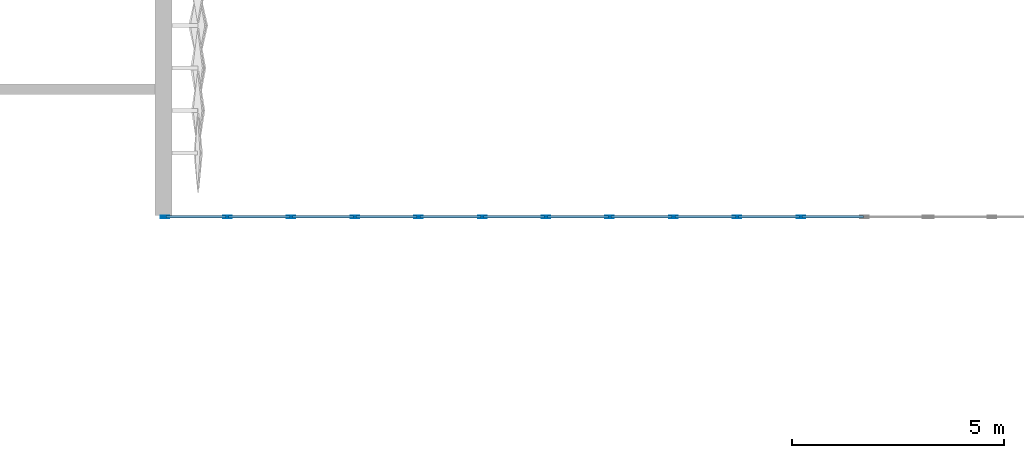
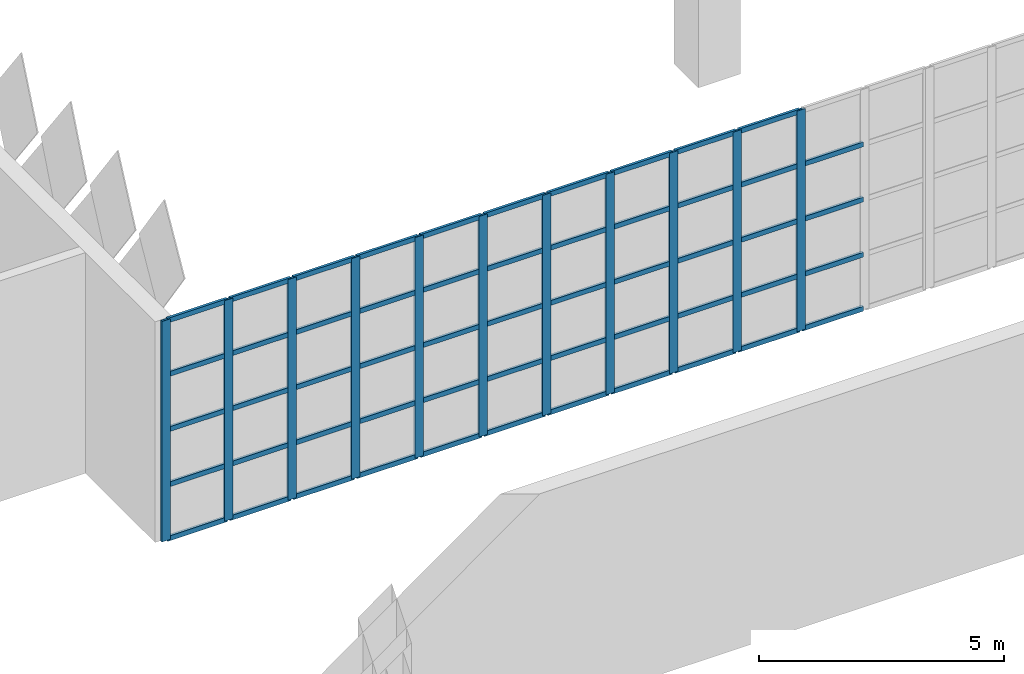
# One storey, part 42 of 185: 65 members, 1 element without a shape of its own.
"""IFC4 building model written with IfcOpenShell, lengths in metres."""

import ifcopenshell
import ifcopenshell.guid

model = None  # the IFC model being written
_history = None  # IfcOwnerHistory: only IFC2X3 demands one
_inside = {}  # id of a spatial element -> (the spatial element, [elements in it])
_under = {}  # id of a project, library or spatial element -> (it, [spatial elements below it])
_declared = {}  # id of a project -> (the project, [libraries it declares])
_typed = {}  # id of a type object -> (the type object, [elements of that type])
_made_of = {}  # id of a material, layer set ... -> (it, [elements and type objects made of it])


def new_model(schema):
    """Start an empty IFC model of exactly this schema.

    Asked for "IFC4X3", IfcOpenShell would pick the latest addendum, in which some entities
    have other attributes; the version numbers below select the first issue.
    IFC2X3 requires an IfcOwnerHistory on every rooted entity: one is made here for all.
    """
    global model, _history
    if schema == "IFC4X3":
        model = ifcopenshell.file(schema_version=(4, 3, 0, 0))
    else:
        model = ifcopenshell.file(schema=schema)
    _inside.clear()
    _under.clear()
    _declared.clear()
    _typed.clear()
    _made_of.clear()
    _history = None
    if model.schema == "IFC2X3":
        org = make("IfcOrganization", Name="unknown")
        user = make(
            "IfcPersonAndOrganization",
            ThePerson=make("IfcPerson", FamilyName="unknown"),
            TheOrganization=org,
        )
        app = make(
            "IfcApplication",
            ApplicationDeveloper=org,
            Version="unknown",
            ApplicationFullName="unknown",
            ApplicationIdentifier="unknown",
        )
        _history = make(
            "IfcOwnerHistory",
            OwningUser=user,
            OwningApplication=app,
            ChangeAction="ADDED",
            CreationDate=0,
        )
    return model


def make(cls, **values):
    """One entity of the class cls with the attributes given. An attribute that is None is left unset."""
    return model.create_entity(
        cls, **{name: value for name, value in values.items() if value is not None}
    )


def rooted(cls, **values):
    """An entity with a GlobalId (a new one), such as an element, a storey or a relation."""
    return make(cls, GlobalId=ifcopenshell.guid.new(), OwnerHistory=_history, **values)


def si_unit(unit_type, name, prefix=None):
    """IfcSIUnit, for example si_unit("LENGTHUNIT", "METRE", prefix="MILLI")."""
    return make("IfcSIUnit", UnitType=unit_type, Prefix=prefix, Name=name)


def assignment(units):
    """IfcUnitAssignment: the units of a project."""
    return None if units is None else make("IfcUnitAssignment", Units=units)


def point(xyz):
    """IfcCartesianPoint."""
    return None if xyz is None else make("IfcCartesianPoint", Coordinates=xyz)


def direction(xyz):
    """IfcDirection."""
    return None if xyz is None else make("IfcDirection", DirectionRatios=xyz)


def frame(location, z_axis=None, x_axis=None):
    """IfcAxis2Placement3D, a coordinate frame: its origin and axes. An axis left out is left unset."""
    return make(
        "IfcAxis2Placement3D",
        Location=point(location),
        Axis=direction(z_axis),
        RefDirection=direction(x_axis),
    )


def frame_2d(location, x_axis=None):
    """IfcAxis2Placement2D, a coordinate frame in the plane: its origin and x axis."""
    return make(
        "IfcAxis2Placement2D", Location=point(location), RefDirection=direction(x_axis)
    )


def origin():
    """The frame at (0, 0, 0) with its axes left unset."""
    return frame((0.0, 0.0, 0.0))


def origin_2d():
    """The frame at (0, 0) in the plane with its x axis left unset."""
    return frame_2d((0.0, 0.0))


def place(relative_to, where):
    """IfcLocalPlacement: puts the frame where relative to a parent placement (None: the world)."""
    return make(
        "IfcLocalPlacement", PlacementRelTo=relative_to, RelativePlacement=where
    )


def context(
    kind, dimensions, precision=None, world=None, true_north=None, identifier=None
):
    """IfcGeometricRepresentationContext, for example the 3D "Model" context."""
    return make(
        "IfcGeometricRepresentationContext",
        ContextIdentifier=identifier,
        ContextType=kind,
        CoordinateSpaceDimension=dimensions,
        Precision=precision,
        WorldCoordinateSystem=world,
        TrueNorth=true_north,
    )


def subcontext(parent, identifier, kind, view, scale=None):
    """IfcGeometricRepresentationSubContext, for example "Body" below "Model"."""
    return make(
        "IfcGeometricRepresentationSubContext",
        ContextIdentifier=identifier,
        ContextType=kind,
        ParentContext=parent,
        TargetScale=scale,
        TargetView=view,
    )


def project(units=None, contexts=None):
    """IfcProject with its units and contexts."""
    return rooted(
        "IfcProject",
        Name="project",
        RepresentationContexts=contexts,
        UnitsInContext=assignment(units),
    )


def spatial(cls, under=None, at=None, **own):
    """A site, building, storey or space (cls), placed at a placement, below another one or the project."""
    s = rooted(cls, ObjectPlacement=at, **own)
    if under is not None:
        _under.setdefault(under.id(), (under, []))[1].append(s)
    return s


def profile(cls, at=None, kind="AREA", **sizes):
    """A parametric profile (cls). Its sizes go by their IFC names, for example OverallWidth=200.0."""
    return make(cls, ProfileType=kind, Position=at, **sizes)


def hollow_rectangle(**sizes):
    """IfcRectangleHollowProfileDef."""
    return profile("IfcRectangleHollowProfileDef", **sizes)


def extrude(swept, where, along, depth):
    """IfcExtrudedAreaSolid: the profile swept, set in the frame where, extruded along a direction by depth."""
    return make(
        "IfcExtrudedAreaSolid",
        SweptArea=swept,
        Position=where,
        ExtrudedDirection=direction(along),
        Depth=depth,
    )


def shape(context_of_items, identifier, shape_type, items):
    """IfcShapeRepresentation: the items that make up one representation, for example the "Body"."""
    return make(
        "IfcShapeRepresentation",
        ContextOfItems=context_of_items,
        RepresentationIdentifier=identifier,
        RepresentationType=shape_type,
        Items=items,
    )


def material(Name=None, Category=None):
    """IfcMaterial."""
    return make("IfcMaterial", Name=Name, Category=Category)


def layer(
    of_material, thickness, ventilated=None, Name=None, Category=None, Priority=None
):
    """IfcMaterialLayer: one layer of a wall or slab, of a material (None: an air gap)."""
    return make(
        "IfcMaterialLayer",
        Material=of_material,
        LayerThickness=thickness,
        IsVentilated=ventilated,
        Name=Name,
        Category=Category,
        Priority=Priority,
    )


def layer_set(layers, Name=None):
    """IfcMaterialLayerSet."""
    return make("IfcMaterialLayerSet", MaterialLayers=layers, LayerSetName=Name)


def material_profile(
    of_material, cross_section, Name=None, Category=None, Priority=None
):
    """IfcMaterialProfile: a cross section and its material."""
    return make(
        "IfcMaterialProfile",
        Name=Name,
        Material=of_material,
        Profile=cross_section,
        Priority=Priority,
        Category=Category,
    )


def profile_set(profiles, Name=None, composite=None):
    """IfcMaterialProfileSet."""
    return make(
        "IfcMaterialProfileSet",
        Name=Name,
        MaterialProfiles=profiles,
        CompositeProfile=composite,
    )


def made_of(thing, what):
    """Note that an element or type object is made of a material, layer set ...; save() writes the relation."""
    if what is not None:
        _made_of.setdefault(what.id(), (what, []))[1].append(thing)
    return thing


def type_object(cls, material=None, **own):
    """A type object (cls), such as IfcWallType, which elements share."""
    return made_of(rooted(cls, **own), material)


def element(
    cls,
    number,
    at=None,
    inside=None,
    cuts=None,
    type_object=None,
    material=None,
    context=None,
    identifier="Body",
    shape_type=None,
    held_by="IfcProductDefinitionShape",
    body=None,
    shapes=None,
    **own,
):
    """One element of the class cls, such as IfcWall. Its Tag is "e" and its number.

    at: its placement. inside: the storey or other place that contains it. cuts: it is an
    opening in that element (IfcRelVoidsElement). A single representation is given by context,
    identifier, shape_type and body (its items); several are given by shapes. held_by: the class
    of the entity that holds the representations. save() writes the other relations.
    """
    e = rooted(cls, Tag="e%d" % number, ObjectPlacement=at, **own)
    if body is not None:
        shapes = [shape(context, identifier, shape_type, body)]
    if shapes is not None:
        e.Representation = make(held_by, Representations=shapes)
    if inside is not None:
        _inside.setdefault(inside.id(), (inside, []))[1].append(e)
    if cuts is not None:
        rooted(
            "IfcRelVoidsElement", RelatingBuildingElement=cuts, RelatedOpeningElement=e
        )
    if type_object is not None:
        _typed.setdefault(type_object.id(), (type_object, []))[1].append(e)
    return made_of(e, material)


def aggregate(whole, parts):
    """IfcRelAggregates: a whole, such as a stair, and the parts it consists of."""
    return rooted("IfcRelAggregates", RelatingObject=whole, RelatedObjects=parts)


def save(model, path):
    """Write the relations noted so far, then the file.

    IfcRelAggregates (storeys below a building ...), IfcRelContainedInSpatialStructure (elements
    in a storey), IfcRelDefinesByType, IfcRelAssociatesMaterial and IfcRelDeclares: one each for
    every whole, place, type object, material and project.
    """
    for whole, parts in _under.values():
        aggregate(whole, parts)
    for where, things in _inside.values():
        rooted(
            "IfcRelContainedInSpatialStructure",
            RelatedElements=things,
            RelatingStructure=where,
        )
    for kind, things in _typed.values():
        rooted("IfcRelDefinesByType", RelatedObjects=things, RelatingType=kind)
    for what, things in _made_of.values():
        rooted("IfcRelAssociatesMaterial", RelatedObjects=things, RelatingMaterial=what)
    for by, libraries in _declared.values():
        rooted("IfcRelDeclares", RelatingContext=by, RelatedDefinitions=libraries)
    model.write(path)


model = new_model("IFC4")

# Units and contexts
model_context = context("Model", 3, precision=1e-05, world=origin(), true_north=direction((0.0, 1.0)))
body_context = subcontext(model_context, "Body", "Model", "MODEL_VIEW")
ifc_project = project(units=[si_unit("LENGTHUNIT", "METRE"), si_unit("AREAUNIT", "SQUARE_METRE"), si_unit("VOLUMEUNIT", "CUBIC_METRE"), si_unit("PLANEANGLEUNIT", "RADIAN"), si_unit("MASSUNIT", "GRAM", prefix="KILO")], contexts=[model_context])

# Site, building, storey
site_placement = place(None, origin())
site = spatial("IfcSite", under=ifc_project, at=site_placement, CompositionType="ELEMENT")
building_placement = place(site_placement, origin())
building = spatial("IfcBuilding", under=site, at=building_placement, Name="Opaline Strait Convention Centre", CompositionType="ELEMENT")
storey_placement = place(building_placement, frame((0.0, 0.0, 6.0)))
storey = spatial("IfcBuildingStorey", under=building, at=storey_placement, Name="L01", CompositionType="ELEMENT", Elevation=6.0)

# Curtain wall, members
ifc_material_1 = material(Name="Aluminium framed glazing", Category="aluminium")
ifc_layer = layer(ifc_material_1, 0.199951171875)
ifc_layer_set = layer_set([ifc_layer], Name="Aluminium framed glazing")
curtain_wall_type = type_object("IfcCurtainWallType", Name="Entrance curtain wall 1500", PredefinedType="NOTDEFINED", material=ifc_layer_set)
curtain_wall_placement = place(storey_placement, origin())
curtain_wall = element("IfcCurtainWall", 1, at=curtain_wall_placement, inside=storey, type_object=curtain_wall_type, Name="Entrance curtain wall L01-R1", PredefinedType="NOTDEFINED")
ifc_material_2 = material(Name="Aluminium alloy 6063", Category="aluminium")
ifc_material_profile_1 = material_profile(ifc_material_2, hollow_rectangle(XDim=0.06005859375, YDim=0.199951171875, WallThickness=0.00390625, at=origin_2d()), Name="MULLION 60x200x4")
ifc_profile_set_1 = profile_set([ifc_material_profile_1], Name="Aluminium alloy 6063")
member_type_1 = type_object("IfcMemberType", Name="Curtain wall mullion 60 x 200", PredefinedType="MULLION", material=ifc_profile_set_1)
member_1_placement = place(storey_placement, frame((153.030029296875, 144.0, 0.0), z_axis=(0.0, 0.0, 1.0), x_axis=(0.0, 1.0, 0.0)))
member_1 = element("IfcMember", 2, at=member_1_placement, type_object=member_type_1, Name="XCW mullion 1", PredefinedType="MULLION", context=body_context, shape_type="SweptSolid", body=[
    extrude(hollow_rectangle(XDim=0.06005859375, YDim=0.199951171875, WallThickness=0.00390625, at=origin_2d()), origin(), (0.0, 0.0, 1.0), 5.5),
])
member_2_placement = place(storey_placement, frame((154.5, 144.0, 0.0), z_axis=(0.0, 0.0, 1.0), x_axis=(0.0, 1.0, 0.0)))
member_2 = element("IfcMember", 3, at=member_2_placement, type_object=member_type_1, Name="XCW mullion 2", PredefinedType="MULLION", context=body_context, shape_type="SweptSolid", body=[
    extrude(hollow_rectangle(XDim=0.06005859375, YDim=0.199951171875, WallThickness=0.00390625, at=origin_2d()), origin(), (0.0, 0.0, 1.0), 5.5),
])
member_3_placement = place(storey_placement, frame((156.0, 144.0, 0.0), z_axis=(0.0, 0.0, 1.0), x_axis=(0.0, 1.0, 0.0)))
member_3 = element("IfcMember", 4, at=member_3_placement, type_object=member_type_1, Name="XCW mullion 3", PredefinedType="MULLION", context=body_context, shape_type="SweptSolid", body=[
    extrude(hollow_rectangle(XDim=0.06005859375, YDim=0.199951171875, WallThickness=0.00390625, at=origin_2d()), origin(), (0.0, 0.0, 1.0), 5.5),
])
member_4_placement = place(storey_placement, frame((157.5, 144.0, 0.0), z_axis=(0.0, 0.0, 1.0), x_axis=(0.0, 1.0, 0.0)))
member_4 = element("IfcMember", 5, at=member_4_placement, type_object=member_type_1, Name="XCW mullion 4", PredefinedType="MULLION", context=body_context, shape_type="SweptSolid", body=[
    extrude(hollow_rectangle(XDim=0.06005859375, YDim=0.199951171875, WallThickness=0.00390625, at=origin_2d()), origin(), (0.0, 0.0, 1.0), 5.5),
])
member_5_placement = place(storey_placement, frame((159.0, 144.0, 0.0), z_axis=(0.0, 0.0, 1.0), x_axis=(0.0, 1.0, 0.0)))
member_5 = element("IfcMember", 6, at=member_5_placement, type_object=member_type_1, Name="XCW mullion 5", PredefinedType="MULLION", context=body_context, shape_type="SweptSolid", body=[
    extrude(hollow_rectangle(XDim=0.06005859375, YDim=0.199951171875, WallThickness=0.00390625, at=origin_2d()), origin(), (0.0, 0.0, 1.0), 5.5),
])
member_6_placement = place(storey_placement, frame((160.5, 144.0, 0.0), z_axis=(0.0, 0.0, 1.0), x_axis=(0.0, 1.0, 0.0)))
member_6 = element("IfcMember", 7, at=member_6_placement, type_object=member_type_1, Name="XCW mullion 6", PredefinedType="MULLION", context=body_context, shape_type="SweptSolid", body=[
    extrude(hollow_rectangle(XDim=0.06005859375, YDim=0.199951171875, WallThickness=0.00390625, at=origin_2d()), origin(), (0.0, 0.0, 1.0), 5.5),
])
member_7_placement = place(storey_placement, frame((162.0, 144.0, 0.0), z_axis=(0.0, 0.0, 1.0), x_axis=(0.0, 1.0, 0.0)))
member_7 = element("IfcMember", 8, at=member_7_placement, type_object=member_type_1, Name="XCW mullion 7", PredefinedType="MULLION", context=body_context, shape_type="SweptSolid", body=[
    extrude(hollow_rectangle(XDim=0.06005859375, YDim=0.199951171875, WallThickness=0.00390625, at=origin_2d()), origin(), (0.0, 0.0, 1.0), 5.5),
])
member_8_placement = place(storey_placement, frame((163.5, 144.0, 0.0), z_axis=(0.0, 0.0, 1.0), x_axis=(0.0, 1.0, 0.0)))
member_8 = element("IfcMember", 9, at=member_8_placement, type_object=member_type_1, Name="XCW mullion 8", PredefinedType="MULLION", context=body_context, shape_type="SweptSolid", body=[
    extrude(hollow_rectangle(XDim=0.06005859375, YDim=0.199951171875, WallThickness=0.00390625, at=origin_2d()), origin(), (0.0, 0.0, 1.0), 5.5),
])
member_9_placement = place(storey_placement, frame((165.0, 144.0, 0.0), z_axis=(0.0, 0.0, 1.0), x_axis=(0.0, 1.0, 0.0)))
member_9 = element("IfcMember", 10, at=member_9_placement, type_object=member_type_1, Name="XCW mullion 9", PredefinedType="MULLION", context=body_context, shape_type="SweptSolid", body=[
    extrude(hollow_rectangle(XDim=0.06005859375, YDim=0.199951171875, WallThickness=0.00390625, at=origin_2d()), origin(), (0.0, 0.0, 1.0), 5.5),
])
member_10_placement = place(storey_placement, frame((166.5, 144.0, 0.0), z_axis=(0.0, 0.0, 1.0), x_axis=(0.0, 1.0, 0.0)))
member_10 = element("IfcMember", 11, at=member_10_placement, type_object=member_type_1, Name="XCW mullion 10", PredefinedType="MULLION", context=body_context, shape_type="SweptSolid", body=[
    extrude(hollow_rectangle(XDim=0.06005859375, YDim=0.199951171875, WallThickness=0.00390625, at=origin_2d()), origin(), (0.0, 0.0, 1.0), 5.5),
])
member_11_placement = place(storey_placement, frame((168.0, 144.0, 0.0), z_axis=(0.0, 0.0, 1.0), x_axis=(0.0, 1.0, 0.0)))
member_11 = element("IfcMember", 12, at=member_11_placement, type_object=member_type_1, Name="XCW mullion 11", PredefinedType="MULLION", context=body_context, shape_type="SweptSolid", body=[
    extrude(hollow_rectangle(XDim=0.06005859375, YDim=0.199951171875, WallThickness=0.00390625, at=origin_2d()), origin(), (0.0, 0.0, 1.0), 5.5),
])
ifc_material_profile_2 = material_profile(ifc_material_2, hollow_rectangle(XDim=0.06005859375, YDim=0.1201171875, WallThickness=0.0029296875, at=origin_2d()), Name="TRANSOM 60x120x3")
ifc_profile_set_2 = profile_set([ifc_material_profile_2], Name="Aluminium alloy 6063")
member_type_2 = type_object("IfcMemberType", Name="Curtain wall transom 60 x 120", PredefinedType="USERDEFINED", material=ifc_profile_set_2)
member_12_placement = place(storey_placement, frame((153.06005859375, 144.0, 0.030029296875), z_axis=(1.0, 0.0, 0.0), x_axis=(0.0, 1.0, 0.0)))
member_12 = element("IfcMember", 13, at=member_12_placement, type_object=member_type_2, Name="XCW transom 1.1", ObjectType="TRANSOM", PredefinedType="USERDEFINED", context=body_context, shape_type="SweptSolid", body=[
    extrude(hollow_rectangle(XDim=0.06005859375, YDim=0.1201171875, WallThickness=0.0029296875, at=origin_2d()), origin(), (0.0, 0.0, 1.0), 1.409912109375),
])
member_13_placement = place(storey_placement, frame((153.06005859375, 144.0, 1.375), z_axis=(1.0, 0.0, 0.0), x_axis=(0.0, 1.0, 0.0)))
member_13 = element("IfcMember", 14, at=member_13_placement, type_object=member_type_2, Name="XCW transom 1.2", ObjectType="TRANSOM", PredefinedType="USERDEFINED", context=body_context, shape_type="SweptSolid", body=[
    extrude(hollow_rectangle(XDim=0.06005859375, YDim=0.1201171875, WallThickness=0.0029296875, at=origin_2d()), origin(), (0.0, 0.0, 1.0), 1.409912109375),
])
member_14_placement = place(storey_placement, frame((153.06005859375, 144.0, 2.75), z_axis=(1.0, 0.0, 0.0), x_axis=(0.0, 1.0, 0.0)))
member_14 = element("IfcMember", 15, at=member_14_placement, type_object=member_type_2, Name="XCW transom 1.3", ObjectType="TRANSOM", PredefinedType="USERDEFINED", context=body_context, shape_type="SweptSolid", body=[
    extrude(hollow_rectangle(XDim=0.06005859375, YDim=0.1201171875, WallThickness=0.0029296875, at=origin_2d()), origin(), (0.0, 0.0, 1.0), 1.409912109375),
])
member_15_placement = place(storey_placement, frame((153.06005859375, 144.0, 4.125), z_axis=(1.0, 0.0, 0.0), x_axis=(0.0, 1.0, 0.0)))
member_15 = element("IfcMember", 16, at=member_15_placement, type_object=member_type_2, Name="XCW transom 1.4", ObjectType="TRANSOM", PredefinedType="USERDEFINED", context=body_context, shape_type="SweptSolid", body=[
    extrude(hollow_rectangle(XDim=0.06005859375, YDim=0.1201171875, WallThickness=0.0029296875, at=origin_2d()), origin(), (0.0, 0.0, 1.0), 1.409912109375),
])
member_16_placement = place(storey_placement, frame((153.06005859375, 144.0, 5.469970703125), z_axis=(1.0, 0.0, 0.0), x_axis=(0.0, 1.0, 0.0)))
member_16 = element("IfcMember", 17, at=member_16_placement, type_object=member_type_2, Name="XCW transom 1.5", ObjectType="TRANSOM", PredefinedType="USERDEFINED", context=body_context, shape_type="SweptSolid", body=[
    extrude(hollow_rectangle(XDim=0.06005859375, YDim=0.1201171875, WallThickness=0.0029296875, at=origin_2d()), origin(), (0.0, 0.0, 1.0), 1.409912109375),
])
member_17_placement = place(storey_placement, frame((154.530029296875, 144.0, 0.030029296875), z_axis=(1.0, 0.0, 0.0), x_axis=(0.0, 1.0, 0.0)))
member_17 = element("IfcMember", 18, at=member_17_placement, type_object=member_type_2, Name="XCW transom 2.1", ObjectType="TRANSOM", PredefinedType="USERDEFINED", context=body_context, shape_type="SweptSolid", body=[
    extrude(hollow_rectangle(XDim=0.06005859375, YDim=0.1201171875, WallThickness=0.0029296875, at=origin_2d()), origin(), (0.0, 0.0, 1.0), 1.43994140625),
])
member_18_placement = place(storey_placement, frame((154.530029296875, 144.0, 1.375), z_axis=(1.0, 0.0, 0.0), x_axis=(0.0, 1.0, 0.0)))
member_18 = element("IfcMember", 19, at=member_18_placement, type_object=member_type_2, Name="XCW transom 2.2", ObjectType="TRANSOM", PredefinedType="USERDEFINED", context=body_context, shape_type="SweptSolid", body=[
    extrude(hollow_rectangle(XDim=0.06005859375, YDim=0.1201171875, WallThickness=0.0029296875, at=origin_2d()), origin(), (0.0, 0.0, 1.0), 1.43994140625),
])
member_19_placement = place(storey_placement, frame((154.530029296875, 144.0, 2.75), z_axis=(1.0, 0.0, 0.0), x_axis=(0.0, 1.0, 0.0)))
member_19 = element("IfcMember", 20, at=member_19_placement, type_object=member_type_2, Name="XCW transom 2.3", ObjectType="TRANSOM", PredefinedType="USERDEFINED", context=body_context, shape_type="SweptSolid", body=[
    extrude(hollow_rectangle(XDim=0.06005859375, YDim=0.1201171875, WallThickness=0.0029296875, at=origin_2d()), origin(), (0.0, 0.0, 1.0), 1.43994140625),
])
member_20_placement = place(storey_placement, frame((154.530029296875, 144.0, 4.125), z_axis=(1.0, 0.0, 0.0), x_axis=(0.0, 1.0, 0.0)))
member_20 = element("IfcMember", 21, at=member_20_placement, type_object=member_type_2, Name="XCW transom 2.4", ObjectType="TRANSOM", PredefinedType="USERDEFINED", context=body_context, shape_type="SweptSolid", body=[
    extrude(hollow_rectangle(XDim=0.06005859375, YDim=0.1201171875, WallThickness=0.0029296875, at=origin_2d()), origin(), (0.0, 0.0, 1.0), 1.43994140625),
])
member_21_placement = place(storey_placement, frame((154.530029296875, 144.0, 5.469970703125), z_axis=(1.0, 0.0, 0.0), x_axis=(0.0, 1.0, 0.0)))
member_21 = element("IfcMember", 22, at=member_21_placement, type_object=member_type_2, Name="XCW transom 2.5", ObjectType="TRANSOM", PredefinedType="USERDEFINED", context=body_context, shape_type="SweptSolid", body=[
    extrude(hollow_rectangle(XDim=0.06005859375, YDim=0.1201171875, WallThickness=0.0029296875, at=origin_2d()), origin(), (0.0, 0.0, 1.0), 1.43994140625),
])
member_22_placement = place(storey_placement, frame((156.030029296875, 144.0, 0.030029296875), z_axis=(1.0, 0.0, 0.0), x_axis=(0.0, 1.0, 0.0)))
member_22 = element("IfcMember", 23, at=member_22_placement, type_object=member_type_2, Name="XCW transom 3.1", ObjectType="TRANSOM", PredefinedType="USERDEFINED", context=body_context, shape_type="SweptSolid", body=[
    extrude(hollow_rectangle(XDim=0.06005859375, YDim=0.1201171875, WallThickness=0.0029296875, at=origin_2d()), origin(), (0.0, 0.0, 1.0), 1.43994140625),
])
member_23_placement = place(storey_placement, frame((156.030029296875, 144.0, 1.375), z_axis=(1.0, 0.0, 0.0), x_axis=(0.0, 1.0, 0.0)))
member_23 = element("IfcMember", 24, at=member_23_placement, type_object=member_type_2, Name="XCW transom 3.2", ObjectType="TRANSOM", PredefinedType="USERDEFINED", context=body_context, shape_type="SweptSolid", body=[
    extrude(hollow_rectangle(XDim=0.06005859375, YDim=0.1201171875, WallThickness=0.0029296875, at=origin_2d()), origin(), (0.0, 0.0, 1.0), 1.43994140625),
])
member_24_placement = place(storey_placement, frame((156.030029296875, 144.0, 2.75), z_axis=(1.0, 0.0, 0.0), x_axis=(0.0, 1.0, 0.0)))
member_24 = element("IfcMember", 25, at=member_24_placement, type_object=member_type_2, Name="XCW transom 3.3", ObjectType="TRANSOM", PredefinedType="USERDEFINED", context=body_context, shape_type="SweptSolid", body=[
    extrude(hollow_rectangle(XDim=0.06005859375, YDim=0.1201171875, WallThickness=0.0029296875, at=origin_2d()), origin(), (0.0, 0.0, 1.0), 1.43994140625),
])
member_25_placement = place(storey_placement, frame((156.030029296875, 144.0, 4.125), z_axis=(1.0, 0.0, 0.0), x_axis=(0.0, 1.0, 0.0)))
member_25 = element("IfcMember", 26, at=member_25_placement, type_object=member_type_2, Name="XCW transom 3.4", ObjectType="TRANSOM", PredefinedType="USERDEFINED", context=body_context, shape_type="SweptSolid", body=[
    extrude(hollow_rectangle(XDim=0.06005859375, YDim=0.1201171875, WallThickness=0.0029296875, at=origin_2d()), origin(), (0.0, 0.0, 1.0), 1.43994140625),
])
member_26_placement = place(storey_placement, frame((156.030029296875, 144.0, 5.469970703125), z_axis=(1.0, 0.0, 0.0), x_axis=(0.0, 1.0, 0.0)))
member_26 = element("IfcMember", 27, at=member_26_placement, type_object=member_type_2, Name="XCW transom 3.5", ObjectType="TRANSOM", PredefinedType="USERDEFINED", context=body_context, shape_type="SweptSolid", body=[
    extrude(hollow_rectangle(XDim=0.06005859375, YDim=0.1201171875, WallThickness=0.0029296875, at=origin_2d()), origin(), (0.0, 0.0, 1.0), 1.43994140625),
])
member_27_placement = place(storey_placement, frame((157.530029296875, 144.0, 0.030029296875), z_axis=(1.0, 0.0, 0.0), x_axis=(0.0, 1.0, 0.0)))
member_27 = element("IfcMember", 28, at=member_27_placement, type_object=member_type_2, Name="XCW transom 4.1", ObjectType="TRANSOM", PredefinedType="USERDEFINED", context=body_context, shape_type="SweptSolid", body=[
    extrude(hollow_rectangle(XDim=0.06005859375, YDim=0.1201171875, WallThickness=0.0029296875, at=origin_2d()), origin(), (0.0, 0.0, 1.0), 1.43994140625),
])
member_28_placement = place(storey_placement, frame((157.530029296875, 144.0, 1.375), z_axis=(1.0, 0.0, 0.0), x_axis=(0.0, 1.0, 0.0)))
member_28 = element("IfcMember", 29, at=member_28_placement, type_object=member_type_2, Name="XCW transom 4.2", ObjectType="TRANSOM", PredefinedType="USERDEFINED", context=body_context, shape_type="SweptSolid", body=[
    extrude(hollow_rectangle(XDim=0.06005859375, YDim=0.1201171875, WallThickness=0.0029296875, at=origin_2d()), origin(), (0.0, 0.0, 1.0), 1.43994140625),
])
member_29_placement = place(storey_placement, frame((157.530029296875, 144.0, 2.75), z_axis=(1.0, 0.0, 0.0), x_axis=(0.0, 1.0, 0.0)))
member_29 = element("IfcMember", 30, at=member_29_placement, type_object=member_type_2, Name="XCW transom 4.3", ObjectType="TRANSOM", PredefinedType="USERDEFINED", context=body_context, shape_type="SweptSolid", body=[
    extrude(hollow_rectangle(XDim=0.06005859375, YDim=0.1201171875, WallThickness=0.0029296875, at=origin_2d()), origin(), (0.0, 0.0, 1.0), 1.43994140625),
])
member_30_placement = place(storey_placement, frame((157.530029296875, 144.0, 4.125), z_axis=(1.0, 0.0, 0.0), x_axis=(0.0, 1.0, 0.0)))
member_30 = element("IfcMember", 31, at=member_30_placement, type_object=member_type_2, Name="XCW transom 4.4", ObjectType="TRANSOM", PredefinedType="USERDEFINED", context=body_context, shape_type="SweptSolid", body=[
    extrude(hollow_rectangle(XDim=0.06005859375, YDim=0.1201171875, WallThickness=0.0029296875, at=origin_2d()), origin(), (0.0, 0.0, 1.0), 1.43994140625),
])
member_31_placement = place(storey_placement, frame((157.530029296875, 144.0, 5.469970703125), z_axis=(1.0, 0.0, 0.0), x_axis=(0.0, 1.0, 0.0)))
member_31 = element("IfcMember", 32, at=member_31_placement, type_object=member_type_2, Name="XCW transom 4.5", ObjectType="TRANSOM", PredefinedType="USERDEFINED", context=body_context, shape_type="SweptSolid", body=[
    extrude(hollow_rectangle(XDim=0.06005859375, YDim=0.1201171875, WallThickness=0.0029296875, at=origin_2d()), origin(), (0.0, 0.0, 1.0), 1.43994140625),
])
member_32_placement = place(storey_placement, frame((159.030029296875, 144.0, 0.030029296875), z_axis=(1.0, 0.0, 0.0), x_axis=(0.0, 1.0, 0.0)))
member_32 = element("IfcMember", 33, at=member_32_placement, type_object=member_type_2, Name="XCW transom 5.1", ObjectType="TRANSOM", PredefinedType="USERDEFINED", context=body_context, shape_type="SweptSolid", body=[
    extrude(hollow_rectangle(XDim=0.06005859375, YDim=0.1201171875, WallThickness=0.0029296875, at=origin_2d()), origin(), (0.0, 0.0, 1.0), 1.43994140625),
])
member_33_placement = place(storey_placement, frame((159.030029296875, 144.0, 1.375), z_axis=(1.0, 0.0, 0.0), x_axis=(0.0, 1.0, 0.0)))
member_33 = element("IfcMember", 34, at=member_33_placement, type_object=member_type_2, Name="XCW transom 5.2", ObjectType="TRANSOM", PredefinedType="USERDEFINED", context=body_context, shape_type="SweptSolid", body=[
    extrude(hollow_rectangle(XDim=0.06005859375, YDim=0.1201171875, WallThickness=0.0029296875, at=origin_2d()), origin(), (0.0, 0.0, 1.0), 1.43994140625),
])
member_34_placement = place(storey_placement, frame((159.030029296875, 144.0, 2.75), z_axis=(1.0, 0.0, 0.0), x_axis=(0.0, 1.0, 0.0)))
member_34 = element("IfcMember", 35, at=member_34_placement, type_object=member_type_2, Name="XCW transom 5.3", ObjectType="TRANSOM", PredefinedType="USERDEFINED", context=body_context, shape_type="SweptSolid", body=[
    extrude(hollow_rectangle(XDim=0.06005859375, YDim=0.1201171875, WallThickness=0.0029296875, at=origin_2d()), origin(), (0.0, 0.0, 1.0), 1.43994140625),
])
member_35_placement = place(storey_placement, frame((159.030029296875, 144.0, 4.125), z_axis=(1.0, 0.0, 0.0), x_axis=(0.0, 1.0, 0.0)))
member_35 = element("IfcMember", 36, at=member_35_placement, type_object=member_type_2, Name="XCW transom 5.4", ObjectType="TRANSOM", PredefinedType="USERDEFINED", context=body_context, shape_type="SweptSolid", body=[
    extrude(hollow_rectangle(XDim=0.06005859375, YDim=0.1201171875, WallThickness=0.0029296875, at=origin_2d()), origin(), (0.0, 0.0, 1.0), 1.43994140625),
])
member_36_placement = place(storey_placement, frame((159.030029296875, 144.0, 5.469970703125), z_axis=(1.0, 0.0, 0.0), x_axis=(0.0, 1.0, 0.0)))
member_36 = element("IfcMember", 37, at=member_36_placement, type_object=member_type_2, Name="XCW transom 5.5", ObjectType="TRANSOM", PredefinedType="USERDEFINED", context=body_context, shape_type="SweptSolid", body=[
    extrude(hollow_rectangle(XDim=0.06005859375, YDim=0.1201171875, WallThickness=0.0029296875, at=origin_2d()), origin(), (0.0, 0.0, 1.0), 1.43994140625),
])
member_37_placement = place(storey_placement, frame((160.530029296875, 144.0, 0.030029296875), z_axis=(1.0, 0.0, 0.0), x_axis=(0.0, 1.0, 0.0)))
member_37 = element("IfcMember", 38, at=member_37_placement, type_object=member_type_2, Name="XCW transom 6.1", ObjectType="TRANSOM", PredefinedType="USERDEFINED", context=body_context, shape_type="SweptSolid", body=[
    extrude(hollow_rectangle(XDim=0.06005859375, YDim=0.1201171875, WallThickness=0.0029296875, at=origin_2d()), origin(), (0.0, 0.0, 1.0), 1.43994140625),
])
member_38_placement = place(storey_placement, frame((160.530029296875, 144.0, 1.375), z_axis=(1.0, 0.0, 0.0), x_axis=(0.0, 1.0, 0.0)))
member_38 = element("IfcMember", 39, at=member_38_placement, type_object=member_type_2, Name="XCW transom 6.2", ObjectType="TRANSOM", PredefinedType="USERDEFINED", context=body_context, shape_type="SweptSolid", body=[
    extrude(hollow_rectangle(XDim=0.06005859375, YDim=0.1201171875, WallThickness=0.0029296875, at=origin_2d()), origin(), (0.0, 0.0, 1.0), 1.43994140625),
])
member_39_placement = place(storey_placement, frame((160.530029296875, 144.0, 2.75), z_axis=(1.0, 0.0, 0.0), x_axis=(0.0, 1.0, 0.0)))
member_39 = element("IfcMember", 40, at=member_39_placement, type_object=member_type_2, Name="XCW transom 6.3", ObjectType="TRANSOM", PredefinedType="USERDEFINED", context=body_context, shape_type="SweptSolid", body=[
    extrude(hollow_rectangle(XDim=0.06005859375, YDim=0.1201171875, WallThickness=0.0029296875, at=origin_2d()), origin(), (0.0, 0.0, 1.0), 1.43994140625),
])
member_40_placement = place(storey_placement, frame((160.530029296875, 144.0, 4.125), z_axis=(1.0, 0.0, 0.0), x_axis=(0.0, 1.0, 0.0)))
member_40 = element("IfcMember", 41, at=member_40_placement, type_object=member_type_2, Name="XCW transom 6.4", ObjectType="TRANSOM", PredefinedType="USERDEFINED", context=body_context, shape_type="SweptSolid", body=[
    extrude(hollow_rectangle(XDim=0.06005859375, YDim=0.1201171875, WallThickness=0.0029296875, at=origin_2d()), origin(), (0.0, 0.0, 1.0), 1.43994140625),
])
member_41_placement = place(storey_placement, frame((160.530029296875, 144.0, 5.469970703125), z_axis=(1.0, 0.0, 0.0), x_axis=(0.0, 1.0, 0.0)))
member_41 = element("IfcMember", 42, at=member_41_placement, type_object=member_type_2, Name="XCW transom 6.5", ObjectType="TRANSOM", PredefinedType="USERDEFINED", context=body_context, shape_type="SweptSolid", body=[
    extrude(hollow_rectangle(XDim=0.06005859375, YDim=0.1201171875, WallThickness=0.0029296875, at=origin_2d()), origin(), (0.0, 0.0, 1.0), 1.43994140625),
])
member_42_placement = place(storey_placement, frame((162.030029296875, 144.0, 0.030029296875), z_axis=(1.0, 0.0, 0.0), x_axis=(0.0, 1.0, 0.0)))
member_42 = element("IfcMember", 43, at=member_42_placement, type_object=member_type_2, Name="XCW transom 7.1", ObjectType="TRANSOM", PredefinedType="USERDEFINED", context=body_context, shape_type="SweptSolid", body=[
    extrude(hollow_rectangle(XDim=0.06005859375, YDim=0.1201171875, WallThickness=0.0029296875, at=origin_2d()), origin(), (0.0, 0.0, 1.0), 1.43994140625),
])
member_43_placement = place(storey_placement, frame((162.030029296875, 144.0, 1.375), z_axis=(1.0, 0.0, 0.0), x_axis=(0.0, 1.0, 0.0)))
member_43 = element("IfcMember", 44, at=member_43_placement, type_object=member_type_2, Name="XCW transom 7.2", ObjectType="TRANSOM", PredefinedType="USERDEFINED", context=body_context, shape_type="SweptSolid", body=[
    extrude(hollow_rectangle(XDim=0.06005859375, YDim=0.1201171875, WallThickness=0.0029296875, at=origin_2d()), origin(), (0.0, 0.0, 1.0), 1.43994140625),
])
member_44_placement = place(storey_placement, frame((162.030029296875, 144.0, 2.75), z_axis=(1.0, 0.0, 0.0), x_axis=(0.0, 1.0, 0.0)))
member_44 = element("IfcMember", 45, at=member_44_placement, type_object=member_type_2, Name="XCW transom 7.3", ObjectType="TRANSOM", PredefinedType="USERDEFINED", context=body_context, shape_type="SweptSolid", body=[
    extrude(hollow_rectangle(XDim=0.06005859375, YDim=0.1201171875, WallThickness=0.0029296875, at=origin_2d()), origin(), (0.0, 0.0, 1.0), 1.43994140625),
])
member_45_placement = place(storey_placement, frame((162.030029296875, 144.0, 4.125), z_axis=(1.0, 0.0, 0.0), x_axis=(0.0, 1.0, 0.0)))
member_45 = element("IfcMember", 46, at=member_45_placement, type_object=member_type_2, Name="XCW transom 7.4", ObjectType="TRANSOM", PredefinedType="USERDEFINED", context=body_context, shape_type="SweptSolid", body=[
    extrude(hollow_rectangle(XDim=0.06005859375, YDim=0.1201171875, WallThickness=0.0029296875, at=origin_2d()), origin(), (0.0, 0.0, 1.0), 1.43994140625),
])
member_46_placement = place(storey_placement, frame((162.030029296875, 144.0, 5.469970703125), z_axis=(1.0, 0.0, 0.0), x_axis=(0.0, 1.0, 0.0)))
member_46 = element("IfcMember", 47, at=member_46_placement, type_object=member_type_2, Name="XCW transom 7.5", ObjectType="TRANSOM", PredefinedType="USERDEFINED", context=body_context, shape_type="SweptSolid", body=[
    extrude(hollow_rectangle(XDim=0.06005859375, YDim=0.1201171875, WallThickness=0.0029296875, at=origin_2d()), origin(), (0.0, 0.0, 1.0), 1.43994140625),
])
member_47_placement = place(storey_placement, frame((163.530029296875, 144.0, 0.030029296875), z_axis=(1.0, 0.0, 0.0), x_axis=(0.0, 1.0, 0.0)))
member_47 = element("IfcMember", 48, at=member_47_placement, type_object=member_type_2, Name="XCW transom 8.1", ObjectType="TRANSOM", PredefinedType="USERDEFINED", context=body_context, shape_type="SweptSolid", body=[
    extrude(hollow_rectangle(XDim=0.06005859375, YDim=0.1201171875, WallThickness=0.0029296875, at=origin_2d()), origin(), (0.0, 0.0, 1.0), 1.43994140625),
])
member_48_placement = place(storey_placement, frame((163.530029296875, 144.0, 1.375), z_axis=(1.0, 0.0, 0.0), x_axis=(0.0, 1.0, 0.0)))
member_48 = element("IfcMember", 49, at=member_48_placement, type_object=member_type_2, Name="XCW transom 8.2", ObjectType="TRANSOM", PredefinedType="USERDEFINED", context=body_context, shape_type="SweptSolid", body=[
    extrude(hollow_rectangle(XDim=0.06005859375, YDim=0.1201171875, WallThickness=0.0029296875, at=origin_2d()), origin(), (0.0, 0.0, 1.0), 1.43994140625),
])
member_49_placement = place(storey_placement, frame((163.530029296875, 144.0, 2.75), z_axis=(1.0, 0.0, 0.0), x_axis=(0.0, 1.0, 0.0)))
member_49 = element("IfcMember", 50, at=member_49_placement, type_object=member_type_2, Name="XCW transom 8.3", ObjectType="TRANSOM", PredefinedType="USERDEFINED", context=body_context, shape_type="SweptSolid", body=[
    extrude(hollow_rectangle(XDim=0.06005859375, YDim=0.1201171875, WallThickness=0.0029296875, at=origin_2d()), origin(), (0.0, 0.0, 1.0), 1.43994140625),
])
member_50_placement = place(storey_placement, frame((163.530029296875, 144.0, 4.125), z_axis=(1.0, 0.0, 0.0), x_axis=(0.0, 1.0, 0.0)))
member_50 = element("IfcMember", 51, at=member_50_placement, type_object=member_type_2, Name="XCW transom 8.4", ObjectType="TRANSOM", PredefinedType="USERDEFINED", context=body_context, shape_type="SweptSolid", body=[
    extrude(hollow_rectangle(XDim=0.06005859375, YDim=0.1201171875, WallThickness=0.0029296875, at=origin_2d()), origin(), (0.0, 0.0, 1.0), 1.43994140625),
])
member_51_placement = place(storey_placement, frame((163.530029296875, 144.0, 5.469970703125), z_axis=(1.0, 0.0, 0.0), x_axis=(0.0, 1.0, 0.0)))
member_51 = element("IfcMember", 52, at=member_51_placement, type_object=member_type_2, Name="XCW transom 8.5", ObjectType="TRANSOM", PredefinedType="USERDEFINED", context=body_context, shape_type="SweptSolid", body=[
    extrude(hollow_rectangle(XDim=0.06005859375, YDim=0.1201171875, WallThickness=0.0029296875, at=origin_2d()), origin(), (0.0, 0.0, 1.0), 1.43994140625),
])
member_52_placement = place(storey_placement, frame((165.030029296875, 144.0, 0.030029296875), z_axis=(1.0, 0.0, 0.0), x_axis=(0.0, 1.0, 0.0)))
member_52 = element("IfcMember", 53, at=member_52_placement, type_object=member_type_2, Name="XCW transom 9.1", ObjectType="TRANSOM", PredefinedType="USERDEFINED", context=body_context, shape_type="SweptSolid", body=[
    extrude(hollow_rectangle(XDim=0.06005859375, YDim=0.1201171875, WallThickness=0.0029296875, at=origin_2d()), origin(), (0.0, 0.0, 1.0), 1.43994140625),
])
member_53_placement = place(storey_placement, frame((165.030029296875, 144.0, 1.375), z_axis=(1.0, 0.0, 0.0), x_axis=(0.0, 1.0, 0.0)))
member_53 = element("IfcMember", 54, at=member_53_placement, type_object=member_type_2, Name="XCW transom 9.2", ObjectType="TRANSOM", PredefinedType="USERDEFINED", context=body_context, shape_type="SweptSolid", body=[
    extrude(hollow_rectangle(XDim=0.06005859375, YDim=0.1201171875, WallThickness=0.0029296875, at=origin_2d()), origin(), (0.0, 0.0, 1.0), 1.43994140625),
])
member_54_placement = place(storey_placement, frame((165.030029296875, 144.0, 2.75), z_axis=(1.0, 0.0, 0.0), x_axis=(0.0, 1.0, 0.0)))
member_54 = element("IfcMember", 55, at=member_54_placement, type_object=member_type_2, Name="XCW transom 9.3", ObjectType="TRANSOM", PredefinedType="USERDEFINED", context=body_context, shape_type="SweptSolid", body=[
    extrude(hollow_rectangle(XDim=0.06005859375, YDim=0.1201171875, WallThickness=0.0029296875, at=origin_2d()), origin(), (0.0, 0.0, 1.0), 1.43994140625),
])
member_55_placement = place(storey_placement, frame((165.030029296875, 144.0, 4.125), z_axis=(1.0, 0.0, 0.0), x_axis=(0.0, 1.0, 0.0)))
member_55 = element("IfcMember", 56, at=member_55_placement, type_object=member_type_2, Name="XCW transom 9.4", ObjectType="TRANSOM", PredefinedType="USERDEFINED", context=body_context, shape_type="SweptSolid", body=[
    extrude(hollow_rectangle(XDim=0.06005859375, YDim=0.1201171875, WallThickness=0.0029296875, at=origin_2d()), origin(), (0.0, 0.0, 1.0), 1.43994140625),
])
member_56_placement = place(storey_placement, frame((165.030029296875, 144.0, 5.469970703125), z_axis=(1.0, 0.0, 0.0), x_axis=(0.0, 1.0, 0.0)))
member_56 = element("IfcMember", 57, at=member_56_placement, type_object=member_type_2, Name="XCW transom 9.5", ObjectType="TRANSOM", PredefinedType="USERDEFINED", context=body_context, shape_type="SweptSolid", body=[
    extrude(hollow_rectangle(XDim=0.06005859375, YDim=0.1201171875, WallThickness=0.0029296875, at=origin_2d()), origin(), (0.0, 0.0, 1.0), 1.43994140625),
])
member_57_placement = place(storey_placement, frame((166.530029296875, 144.0, 0.030029296875), z_axis=(1.0, 0.0, 0.0), x_axis=(0.0, 1.0, 0.0)))
member_57 = element("IfcMember", 58, at=member_57_placement, type_object=member_type_2, Name="XCW transom 10.1", ObjectType="TRANSOM", PredefinedType="USERDEFINED", context=body_context, shape_type="SweptSolid", body=[
    extrude(hollow_rectangle(XDim=0.06005859375, YDim=0.1201171875, WallThickness=0.0029296875, at=origin_2d()), origin(), (0.0, 0.0, 1.0), 1.43994140625),
])
member_58_placement = place(storey_placement, frame((166.530029296875, 144.0, 1.375), z_axis=(1.0, 0.0, 0.0), x_axis=(0.0, 1.0, 0.0)))
member_58 = element("IfcMember", 59, at=member_58_placement, type_object=member_type_2, Name="XCW transom 10.2", ObjectType="TRANSOM", PredefinedType="USERDEFINED", context=body_context, shape_type="SweptSolid", body=[
    extrude(hollow_rectangle(XDim=0.06005859375, YDim=0.1201171875, WallThickness=0.0029296875, at=origin_2d()), origin(), (0.0, 0.0, 1.0), 1.43994140625),
])
member_59_placement = place(storey_placement, frame((166.530029296875, 144.0, 2.75), z_axis=(1.0, 0.0, 0.0), x_axis=(0.0, 1.0, 0.0)))
member_59 = element("IfcMember", 60, at=member_59_placement, type_object=member_type_2, Name="XCW transom 10.3", ObjectType="TRANSOM", PredefinedType="USERDEFINED", context=body_context, shape_type="SweptSolid", body=[
    extrude(hollow_rectangle(XDim=0.06005859375, YDim=0.1201171875, WallThickness=0.0029296875, at=origin_2d()), origin(), (0.0, 0.0, 1.0), 1.43994140625),
])
member_60_placement = place(storey_placement, frame((166.530029296875, 144.0, 4.125), z_axis=(1.0, 0.0, 0.0), x_axis=(0.0, 1.0, 0.0)))
member_60 = element("IfcMember", 61, at=member_60_placement, type_object=member_type_2, Name="XCW transom 10.4", ObjectType="TRANSOM", PredefinedType="USERDEFINED", context=body_context, shape_type="SweptSolid", body=[
    extrude(hollow_rectangle(XDim=0.06005859375, YDim=0.1201171875, WallThickness=0.0029296875, at=origin_2d()), origin(), (0.0, 0.0, 1.0), 1.43994140625),
])
member_61_placement = place(storey_placement, frame((166.530029296875, 144.0, 5.469970703125), z_axis=(1.0, 0.0, 0.0), x_axis=(0.0, 1.0, 0.0)))
member_61 = element("IfcMember", 62, at=member_61_placement, type_object=member_type_2, Name="XCW transom 10.5", ObjectType="TRANSOM", PredefinedType="USERDEFINED", context=body_context, shape_type="SweptSolid", body=[
    extrude(hollow_rectangle(XDim=0.06005859375, YDim=0.1201171875, WallThickness=0.0029296875, at=origin_2d()), origin(), (0.0, 0.0, 1.0), 1.43994140625),
])
member_62_placement = place(storey_placement, frame((168.030029296875, 144.0, 0.030029296875), z_axis=(1.0, 0.0, 0.0), x_axis=(0.0, 1.0, 0.0)))
member_62 = element("IfcMember", 63, at=member_62_placement, type_object=member_type_2, Name="XCW transom 11.1", ObjectType="TRANSOM", PredefinedType="USERDEFINED", context=body_context, shape_type="SweptSolid", body=[
    extrude(hollow_rectangle(XDim=0.06005859375, YDim=0.1201171875, WallThickness=0.0029296875, at=origin_2d()), origin(), (0.0, 0.0, 1.0), 1.43994140625),
])
member_63_placement = place(storey_placement, frame((168.030029296875, 144.0, 1.375), z_axis=(1.0, 0.0, 0.0), x_axis=(0.0, 1.0, 0.0)))
member_63 = element("IfcMember", 64, at=member_63_placement, type_object=member_type_2, Name="XCW transom 11.2", ObjectType="TRANSOM", PredefinedType="USERDEFINED", context=body_context, shape_type="SweptSolid", body=[
    extrude(hollow_rectangle(XDim=0.06005859375, YDim=0.1201171875, WallThickness=0.0029296875, at=origin_2d()), origin(), (0.0, 0.0, 1.0), 1.43994140625),
])
member_64_placement = place(storey_placement, frame((168.030029296875, 144.0, 2.75), z_axis=(1.0, 0.0, 0.0), x_axis=(0.0, 1.0, 0.0)))
member_64 = element("IfcMember", 65, at=member_64_placement, type_object=member_type_2, Name="XCW transom 11.3", ObjectType="TRANSOM", PredefinedType="USERDEFINED", context=body_context, shape_type="SweptSolid", body=[
    extrude(hollow_rectangle(XDim=0.06005859375, YDim=0.1201171875, WallThickness=0.0029296875, at=origin_2d()), origin(), (0.0, 0.0, 1.0), 1.43994140625),
])
member_65_placement = place(storey_placement, frame((168.030029296875, 144.0, 4.125), z_axis=(1.0, 0.0, 0.0), x_axis=(0.0, 1.0, 0.0)))
member_65 = element("IfcMember", 66, at=member_65_placement, type_object=member_type_2, Name="XCW transom 11.4", ObjectType="TRANSOM", PredefinedType="USERDEFINED", context=body_context, shape_type="SweptSolid", body=[
    extrude(hollow_rectangle(XDim=0.06005859375, YDim=0.1201171875, WallThickness=0.0029296875, at=origin_2d()), origin(), (0.0, 0.0, 1.0), 1.43994140625),
])
aggregate(curtain_wall, [member_1, member_2, member_3, member_4, member_5, member_6, member_7, member_8, member_9, member_10, member_11, member_12, member_13, member_14, member_15, member_16, member_17, member_18, member_19, member_20, member_21, member_22, member_23, member_24, member_25, member_26, member_27, member_28, member_29, member_30, member_31, member_32, member_33, member_34, member_35, member_36, member_37, member_38, member_39, member_40, member_41, member_42, member_43, member_44, member_45, member_46, member_47, member_48, member_49, member_50, member_51, member_52, member_53, member_54, member_55, member_56, member_57, member_58, member_59, member_60, member_61, member_62, member_63, member_64, member_65])

save(model, "model.ifc")
